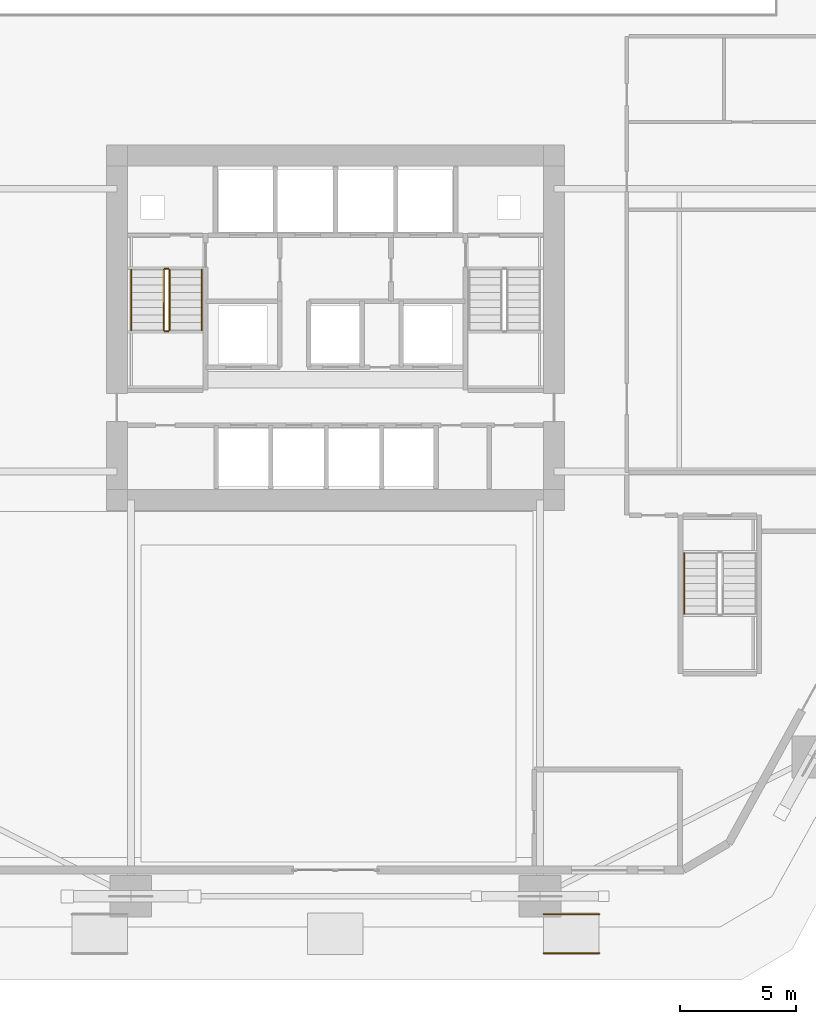
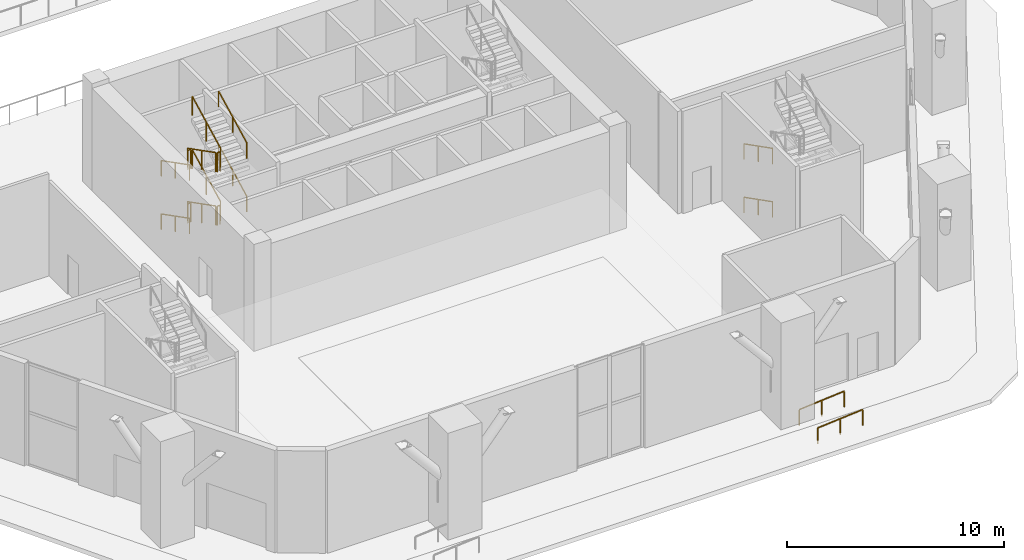
# One storey, part 20 of 22: 16 railings.
"""IFC4 building model written with IfcOpenShell, lengths in metres."""

from ifc_helpers import new_model, si_unit, direction, frame, origin, origin_2d, place, context, subcontext, project, spatial, rectangle, extrude, material, type_object, element, save


model = new_model("IFC4")

# Units and contexts
model_context = context("Model", 3, precision=1e-05, world=origin(), true_north=direction((0.0, 1.0)))
body_context = subcontext(model_context, "Body", "Model", "MODEL_VIEW")
ifc_project = project(units=[si_unit("LENGTHUNIT", "METRE"), si_unit("AREAUNIT", "SQUARE_METRE"), si_unit("VOLUMEUNIT", "CUBIC_METRE"), si_unit("PLANEANGLEUNIT", "RADIAN"), si_unit("MASSUNIT", "GRAM", prefix="KILO")], contexts=[model_context])

# Site, building, storey
site_placement = place(None, origin())
site = spatial("IfcSite", under=ifc_project, at=site_placement, CompositionType="ELEMENT")
building_placement = place(site_placement, origin())
building = spatial("IfcBuilding", under=site, at=building_placement, Name="Cinnabar Lancet Tower", CompositionType="ELEMENT")
storey_placement = place(building_placement, origin())
storey = spatial("IfcBuildingStorey", under=building, at=storey_placement, Name="L00", CompositionType="ELEMENT", Elevation=0.0)

# Railings
ifc_material_1 = material(Name="Painted galvanized steel balustrade", Category="steel")
railing_type_1 = type_object("IfcRailingType", Name="GUARD-STAIR", PredefinedType="GUARDRAIL", material=ifc_material_1)
railing_1_placement = place(storey_placement, frame((24.97509765625, 28.39990234375, 0.166748046875)))
element("IfcRailing", 1, at=railing_1_placement, inside=storey, type_object=railing_type_1, Name="L00 ST-1 stair guard 1", PredefinedType="GUARDRAIL", context=body_context, shape_type="SweptSolid", body=[
    extrude(rectangle(XDim=0.048095703125, YDim=0.048095703125, at=origin_2d()), frame((0.0, 0.0, 1.076171875), z_axis=(0.0, -0.889818332763, 0.45631495119), x_axis=(1.0, 0.0, 0.0)), (0.0, 0.0, 1.0), 2.921875),
    extrude(rectangle(XDim=0.0419921875, YDim=0.0419921875, at=origin_2d()), origin(), (0.0, 0.0, 1.0), 1.052001953125),
    extrude(rectangle(XDim=0.0419921875, YDim=0.0419921875, at=origin_2d()), frame((0.0, -1.2998046875, 0.66650390625)), (0.0, 0.0, 1.0), 1.052001953125),
    extrude(rectangle(XDim=0.0419921875, YDim=0.0419921875, at=origin_2d()), frame((0.0, -2.599853515625, 1.333251953125)), (0.0, 0.0, 1.0), 1.052001953125),
])
railing_2_placement = place(storey_placement, frame((25.02490234375, 25.75, 1.5)))
element("IfcRailing", 2, at=railing_2_placement, inside=storey, type_object=railing_type_1, Name="L00 ST-1 stair guard 2", PredefinedType="GUARDRAIL", context=body_context, shape_type="SweptSolid", body=[
    extrude(rectangle(XDim=0.048095703125, YDim=0.048095703125, at=origin_2d()), frame((0.0, 0.0, 1.076171875), z_axis=(1.0, 0.0, 0.0), x_axis=(0.0, 1.0, 0.0)), (0.0, 0.0, 1.0), 0.150146484375),
    extrude(rectangle(XDim=0.0419921875, YDim=0.0419921875, at=origin_2d()), origin(), (0.0, 0.0, 1.0), 1.052001953125),
    extrude(rectangle(XDim=0.0419921875, YDim=0.0419921875, at=origin_2d()), frame((0.150146484375, 0.0, 0.0)), (0.0, 0.0, 1.0), 1.052001953125),
])
railing_3_placement = place(storey_placement, frame((25.22509765625, 25.800048828125, 1.666748046875)))
element("IfcRailing", 3, at=railing_3_placement, inside=storey, type_object=railing_type_1, Name="L00 ST-1 stair guard 3", PredefinedType="GUARDRAIL", context=body_context, shape_type="SweptSolid", body=[
    extrude(rectangle(XDim=0.048095703125, YDim=0.048095703125, at=origin_2d()), frame((0.0, 0.0, 1.076171875), z_axis=(0.0, 0.889818332763, 0.45631495119), x_axis=(-1.0, 0.0, 0.0)), (0.0, 0.0, 1.0), 2.921875),
    extrude(rectangle(XDim=0.0419921875, YDim=0.0419921875, at=origin_2d()), origin(), (0.0, 0.0, 1.0), 1.052001953125),
    extrude(rectangle(XDim=0.0419921875, YDim=0.0419921875, at=origin_2d()), frame((0.0, 1.2998046875, 0.66650390625)), (0.0, 0.0, 1.0), 1.052001953125),
    extrude(rectangle(XDim=0.0419921875, YDim=0.0419921875, at=origin_2d()), frame((0.0, 2.599853515625, 1.333251953125)), (0.0, 0.0, 1.0), 1.052001953125),
])
railing_4_placement = place(storey_placement, frame((25.02490234375, 28.449951171875, 3.0)))
element("IfcRailing", 4, at=railing_4_placement, inside=storey, type_object=railing_type_1, Name="L00 ST-1 stair guard 4", PredefinedType="GUARDRAIL", context=body_context, shape_type="SweptSolid", body=[
    extrude(rectangle(XDim=0.048095703125, YDim=0.048095703125, at=origin_2d()), frame((0.0, 0.0, 1.076171875), z_axis=(1.0, 0.0, 0.0), x_axis=(0.0, 1.0, 0.0)), (0.0, 0.0, 1.0), 0.150146484375),
    extrude(rectangle(XDim=0.0419921875, YDim=0.0419921875, at=origin_2d()), origin(), (0.0, 0.0, 1.0), 1.052001953125),
    extrude(rectangle(XDim=0.0419921875, YDim=0.0419921875, at=origin_2d()), frame((0.150146484375, 0.0, 0.0)), (0.0, 0.0, 1.0), 1.052001953125),
])
railing_5_placement = place(storey_placement, frame((24.97509765625, 28.39990234375, 3.166748046875)))
element("IfcRailing", 5, at=railing_5_placement, inside=storey, type_object=railing_type_1, Name="L00 ST-1 stair guard 5", PredefinedType="GUARDRAIL", context=body_context, shape_type="SweptSolid", body=[
    extrude(rectangle(XDim=0.048095703125, YDim=0.048095703125, at=origin_2d()), frame((0.0, 0.0, 1.076171875), z_axis=(0.0, -0.889818332763, 0.45631495119), x_axis=(1.0, 0.0, 0.0)), (0.0, 0.0, 1.0), 2.921875),
    extrude(rectangle(XDim=0.0419921875, YDim=0.0419921875, at=origin_2d()), origin(), (0.0, 0.0, 1.0), 1.052001953125),
    extrude(rectangle(XDim=0.0419921875, YDim=0.0419921875, at=origin_2d()), frame((0.0, -1.2998046875, 0.66650390625)), (0.0, 0.0, 1.0), 1.052001953125),
    extrude(rectangle(XDim=0.0419921875, YDim=0.0419921875, at=origin_2d()), frame((0.0, -2.599853515625, 1.333251953125)), (0.0, 0.0, 1.0), 1.052001953125),
])
railing_6_placement = place(storey_placement, frame((25.02490234375, 25.75, 4.5)))
element("IfcRailing", 6, at=railing_6_placement, inside=storey, type_object=railing_type_1, Name="L00 ST-1 stair guard 6", PredefinedType="GUARDRAIL", context=body_context, shape_type="SweptSolid", body=[
    extrude(rectangle(XDim=0.048095703125, YDim=0.048095703125, at=origin_2d()), frame((0.0, 0.0, 1.076171875), z_axis=(1.0, 0.0, 0.0), x_axis=(0.0, 1.0, 0.0)), (0.0, 0.0, 1.0), 0.150146484375),
    extrude(rectangle(XDim=0.0419921875, YDim=0.0419921875, at=origin_2d()), origin(), (0.0, 0.0, 1.0), 1.052001953125),
    extrude(rectangle(XDim=0.0419921875, YDim=0.0419921875, at=origin_2d()), frame((0.150146484375, 0.0, 0.0)), (0.0, 0.0, 1.0), 1.052001953125),
])
railing_7_placement = place(storey_placement, frame((25.22509765625, 25.800048828125, 4.666748046875)))
element("IfcRailing", 7, at=railing_7_placement, inside=storey, type_object=railing_type_1, Name="L00 ST-1 stair guard 7", PredefinedType="GUARDRAIL", context=body_context, shape_type="SweptSolid", body=[
    extrude(rectangle(XDim=0.048095703125, YDim=0.048095703125, at=origin_2d()), frame((0.0, 0.0, 1.076171875), z_axis=(0.0, 0.889818332763, 0.45631495119), x_axis=(-1.0, 0.0, 0.0)), (0.0, 0.0, 1.0), 2.921875),
    extrude(rectangle(XDim=0.0419921875, YDim=0.0419921875, at=origin_2d()), origin(), (0.0, 0.0, 1.0), 1.052001953125),
    extrude(rectangle(XDim=0.0419921875, YDim=0.0419921875, at=origin_2d()), frame((0.0, 1.2998046875, 0.66650390625)), (0.0, 0.0, 1.0), 1.052001953125),
    extrude(rectangle(XDim=0.0419921875, YDim=0.0419921875, at=origin_2d()), frame((0.0, 2.599853515625, 1.333251953125)), (0.0, 0.0, 1.0), 1.052001953125),
])
railing_8_placement = place(storey_placement, frame((25.02490234375, 28.449951171875, 0.0)))
element("IfcRailing", 8, at=railing_8_placement, inside=storey, type_object=railing_type_1, Name="L00 ST-1 stair guard 8", PredefinedType="GUARDRAIL", context=body_context, shape_type="SweptSolid", body=[
    extrude(rectangle(XDim=0.048095703125, YDim=0.048095703125, at=origin_2d()), frame((0.0, 0.0, 1.076171875), z_axis=(1.0, 0.0, 0.0), x_axis=(0.0, 1.0, 0.0)), (0.0, 0.0, 1.0), 0.150146484375),
    extrude(rectangle(XDim=0.0419921875, YDim=0.0419921875, at=origin_2d()), origin(), (0.0, 0.0, 1.0), 1.052001953125),
    extrude(rectangle(XDim=0.0419921875, YDim=0.0419921875, at=origin_2d()), frame((0.150146484375, 0.0, 0.0)), (0.0, 0.0, 1.0), 1.052001953125),
])
ifc_material_2 = material(Name="Brushed stainless steel handrail", Category="steel")
railing_type_2 = type_object("IfcRailingType", Name="HANDRAIL-RAMP", PredefinedType="HANDRAIL", material=ifc_material_2)
for number, where, name in (
    (9, (41.39990234375, -1.14990234375, -0.199951171875), "Accessible Ramp AR-02 Handrail A"),
    (10, (41.39990234375, 0.550048828125, -0.199951171875), "Accessible Ramp AR-02 Handrail B"),
):
    element("IfcRailing", number, at=place(storey_placement, frame(where)), inside=storey, type_object=railing_type_2, Name=name, PredefinedType="HANDRAIL", context=body_context, shape_type="SweptSolid", body=[
        extrude(rectangle(XDim=0.048095703125, YDim=0.048095703125, at=origin_2d()), frame((0.0, 0.0, 0.89599609375), z_axis=(0.996547855194, 0.0, 0.083020312624), x_axis=(0.0, 1.0, 0.0)), (0.0, 0.0, 1.0), 2.408447265625),
        extrude(rectangle(XDim=0.0419921875, YDim=0.0419921875, at=origin_2d()), origin(), (0.0, 0.0, 1.0), 0.871826171875),
        extrude(rectangle(XDim=0.0419921875, YDim=0.0419921875, at=origin_2d()), frame((1.2001953125, 0.0, 0.10009765625)), (0.0, 0.0, 1.0), 0.871826171875),
        extrude(rectangle(XDim=0.0419921875, YDim=0.0419921875, at=origin_2d()), frame((2.400146484375, 0.0, 0.199951171875)), (0.0, 0.0, 1.0), 0.871826171875),
    ])
ifc_material_3 = material(Name="Brushed stainless steel handrail", Category="steel")
railing_type_3 = type_object("IfcRailingType", Name="HANDRAIL-STAIR", PredefinedType="HANDRAIL", material=ifc_material_3)
railing_9_placement = place(storey_placement, frame((23.574951171875, 28.39990234375, 0.166748046875)))
element("IfcRailing", 11, at=railing_9_placement, inside=storey, type_object=railing_type_3, Name="L00 ST-1 stair handrail 1", PredefinedType="HANDRAIL", context=body_context, shape_type="SweptSolid", body=[
    extrude(rectangle(XDim=0.048095703125, YDim=0.048095703125, at=origin_2d()), frame((0.0, 0.0, 0.8759765625), z_axis=(0.0, -0.889818332763, 0.45631495119), x_axis=(1.0, 0.0, 0.0)), (0.0, 0.0, 1.0), 2.921875),
    extrude(rectangle(XDim=0.0419921875, YDim=0.0419921875, at=origin_2d()), origin(), (0.0, 0.0, 1.0), 0.851806640625),
    extrude(rectangle(XDim=0.0419921875, YDim=0.0419921875, at=origin_2d()), frame((0.0, -1.2998046875, 0.66650390625)), (0.0, 0.0, 1.0), 0.851806640625),
    extrude(rectangle(XDim=0.0419921875, YDim=0.0419921875, at=origin_2d()), frame((0.0, -2.599853515625, 1.333251953125)), (0.0, 0.0, 1.0), 0.851806640625),
])
railing_10_placement = place(storey_placement, frame((26.625, 25.800048828125, 1.666748046875)))
element("IfcRailing", 12, at=railing_10_placement, inside=storey, type_object=railing_type_3, Name="L00 ST-1 stair handrail 2", PredefinedType="HANDRAIL", context=body_context, shape_type="SweptSolid", body=[
    extrude(rectangle(XDim=0.048095703125, YDim=0.048095703125, at=origin_2d()), frame((0.0, 0.0, 0.8759765625), z_axis=(0.0, 0.889818332763, 0.45631495119), x_axis=(-1.0, 0.0, 0.0)), (0.0, 0.0, 1.0), 2.921875),
    extrude(rectangle(XDim=0.0419921875, YDim=0.0419921875, at=origin_2d()), origin(), (0.0, 0.0, 1.0), 0.851806640625),
    extrude(rectangle(XDim=0.0419921875, YDim=0.0419921875, at=origin_2d()), frame((0.0, 1.2998046875, 0.66650390625)), (0.0, 0.0, 1.0), 0.851806640625),
    extrude(rectangle(XDim=0.0419921875, YDim=0.0419921875, at=origin_2d()), frame((0.0, 2.599853515625, 1.333251953125)), (0.0, 0.0, 1.0), 0.851806640625),
])
railing_11_placement = place(storey_placement, frame((23.574951171875, 28.39990234375, 3.166748046875)))
element("IfcRailing", 13, at=railing_11_placement, inside=storey, type_object=railing_type_3, Name="L00 ST-1 stair handrail 3", PredefinedType="HANDRAIL", context=body_context, shape_type="SweptSolid", body=[
    extrude(rectangle(XDim=0.048095703125, YDim=0.048095703125, at=origin_2d()), frame((0.0, 0.0, 0.8759765625), z_axis=(0.0, -0.889818332763, 0.45631495119), x_axis=(1.0, 0.0, 0.0)), (0.0, 0.0, 1.0), 2.921875),
    extrude(rectangle(XDim=0.0419921875, YDim=0.0419921875, at=origin_2d()), origin(), (0.0, 0.0, 1.0), 0.851806640625),
    extrude(rectangle(XDim=0.0419921875, YDim=0.0419921875, at=origin_2d()), frame((0.0, -1.2998046875, 0.66650390625)), (0.0, 0.0, 1.0), 0.851806640625),
    extrude(rectangle(XDim=0.0419921875, YDim=0.0419921875, at=origin_2d()), frame((0.0, -2.599853515625, 1.333251953125)), (0.0, 0.0, 1.0), 0.851806640625),
])
railing_12_placement = place(storey_placement, frame((26.625, 25.800048828125, 4.666748046875)))
element("IfcRailing", 14, at=railing_12_placement, inside=storey, type_object=railing_type_3, Name="L00 ST-1 stair handrail 4", PredefinedType="HANDRAIL", context=body_context, shape_type="SweptSolid", body=[
    extrude(rectangle(XDim=0.048095703125, YDim=0.048095703125, at=origin_2d()), frame((0.0, 0.0, 0.8759765625), z_axis=(0.0, 0.889818332763, 0.45631495119), x_axis=(-1.0, 0.0, 0.0)), (0.0, 0.0, 1.0), 2.921875),
    extrude(rectangle(XDim=0.0419921875, YDim=0.0419921875, at=origin_2d()), origin(), (0.0, 0.0, 1.0), 0.851806640625),
    extrude(rectangle(XDim=0.0419921875, YDim=0.0419921875, at=origin_2d()), frame((0.0, 1.2998046875, 0.66650390625)), (0.0, 0.0, 1.0), 0.851806640625),
    extrude(rectangle(XDim=0.0419921875, YDim=0.0419921875, at=origin_2d()), frame((0.0, 2.599853515625, 1.333251953125)), (0.0, 0.0, 1.0), 0.851806640625),
])
for number, where, name in (
    (15, (47.47509765625, 16.14990234375, 0.166748046875), "L00 ST-4 stair handrail 1"),
    (16, (47.47509765625, 16.14990234375, 3.166748046875), "L00 ST-4 stair handrail 3"),
):
    element("IfcRailing", number, at=place(storey_placement, frame(where)), inside=storey, type_object=railing_type_3, Name=name, PredefinedType="HANDRAIL", context=body_context, shape_type="SweptSolid", body=[
        extrude(rectangle(XDim=0.048095703125, YDim=0.048095703125, at=origin_2d()), frame((0.0, 0.0, 0.8759765625), z_axis=(0.0, -0.890838150125, 0.454320801067), x_axis=(1.0, 0.0, 0.0)), (0.0, 0.0, 1.0), 2.9345703125),
        extrude(rectangle(XDim=0.0419921875, YDim=0.0419921875, at=origin_2d()), origin(), (0.0, 0.0, 1.0), 0.851806640625),
        extrude(rectangle(XDim=0.0419921875, YDim=0.0419921875, at=origin_2d()), frame((0.0, -1.30712890625, 0.66650390625)), (0.0, 0.0, 1.0), 0.851806640625),
        extrude(rectangle(XDim=0.0419921875, YDim=0.0419921875, at=origin_2d()), frame((0.0, -2.6142578125, 1.333251953125)), (0.0, 0.0, 1.0), 0.851806640625),
    ])

save(model, "model.ifc")
